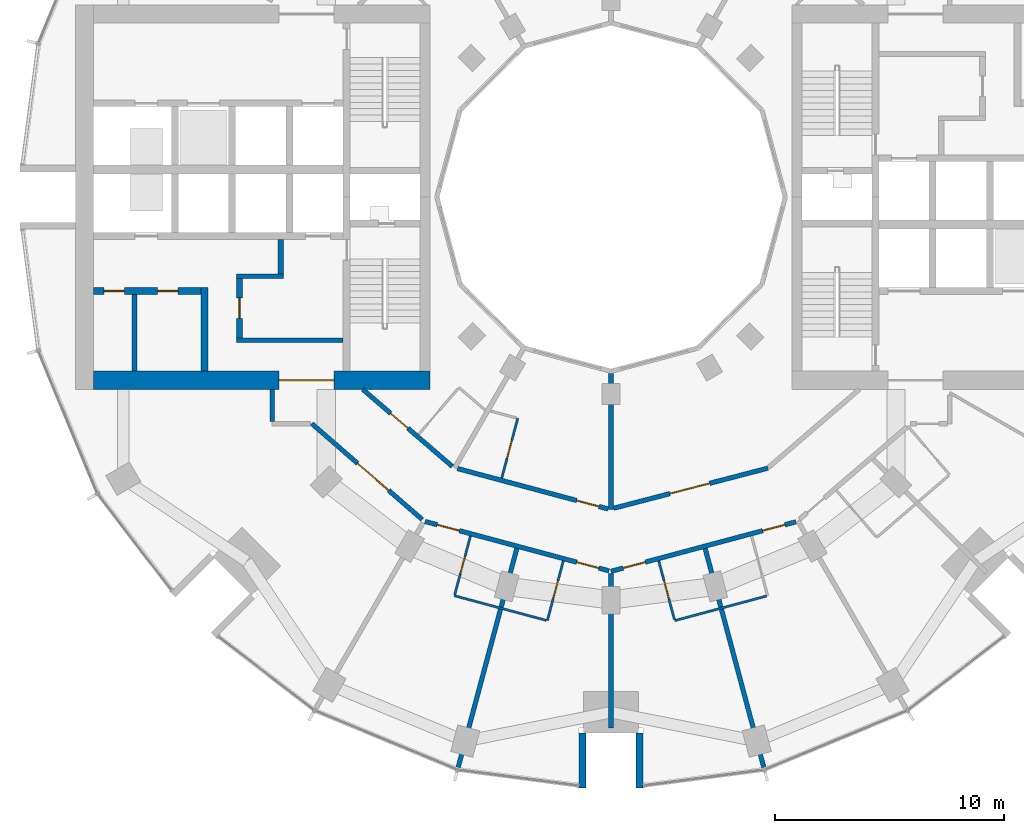
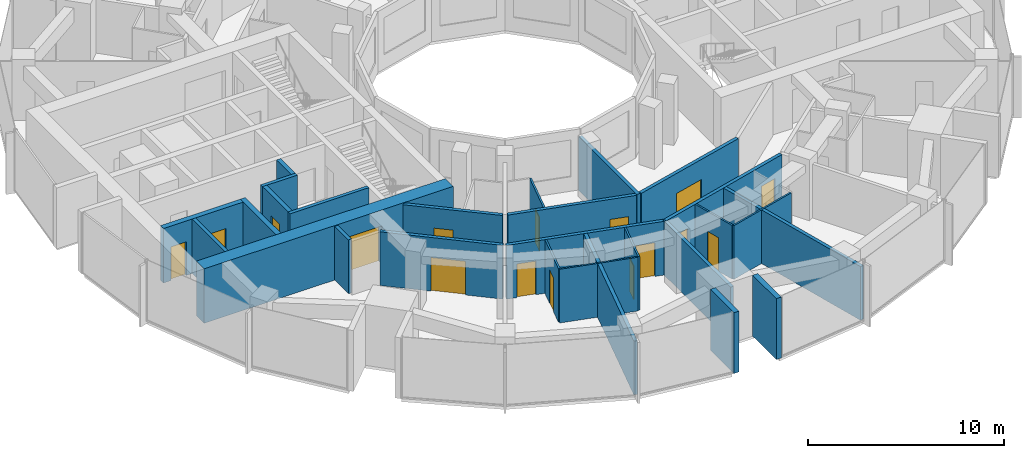
# One storey, part 8 of 15: 27 walls, 16 doors, 16 openings.
"""IFC4 building model written with IfcOpenShell, lengths in metres."""

from ifc_helpers import new_model, si_unit, direction, frame, frame_2d, origin, place, context, subcontext, project, spatial, rectangle, extrude, material, layer, layer_set, type_object, element, fill, save


model = new_model("IFC4")

# Units and contexts
model_context = context("Model", 3, precision=1e-05, world=origin(), true_north=direction((0.0, 1.0)))
body_context = subcontext(model_context, "Body", "Model", "MODEL_VIEW")
ifc_project = project(units=[si_unit("LENGTHUNIT", "METRE"), si_unit("AREAUNIT", "SQUARE_METRE"), si_unit("VOLUMEUNIT", "CUBIC_METRE"), si_unit("PLANEANGLEUNIT", "RADIAN"), si_unit("MASSUNIT", "GRAM", prefix="KILO")], contexts=[model_context])

# Site, building, storey
site_placement = place(None, origin())
site = spatial("IfcSite", under=ifc_project, at=site_placement, CompositionType="ELEMENT")
building_placement = place(site_placement, origin())
building = spatial("IfcBuilding", under=site, at=building_placement, Name="Torre Brocal", CompositionType="ELEMENT")
storey_placement = place(building_placement, frame((0.0, 0.0, 70.60009765625)))
storey = spatial("IfcBuildingStorey", under=building, at=storey_placement, Name="L16", CompositionType="ELEMENT", Elevation=70.60009765625)

# Walls
ifc_material_1 = material(Name="Masonry block", Category="masonry")
ifc_layer_1 = layer(ifc_material_1, 0.199951171875)
ifc_layer_set_1 = layer_set([ifc_layer_1], Name="Masonry block")
wall_type_1 = type_object("IfcWallType", Name="CORE PARTITION 200 UNDER 400 SLAB", PredefinedType="PARTITIONING", material=ifc_layer_set_1)
wall_1_placement = place(storey_placement, frame((59.18603515625, 70.75, 0.0), z_axis=(0.0, 0.0, 1.0), x_axis=(0.0, -1.0, 0.0)))
element("IfcWall", 1, at=wall_1_placement, inside=storey, type_object=wall_type_1, Name="Wall CP200-S400", PredefinedType="PARTITIONING", context=body_context, shape_type="SweptSolid", body=[
    extrude(rectangle(XDim=3.35009765625, YDim=0.199951171875, at=frame_2d((1.675048828125, 0.0))), origin(), (0.0, 0.0, 1.0), 3.39990234375),
])
ifc_material_2 = material(Name="Concrete C80", Category="concrete")
ifc_layer_2 = layer(ifc_material_2, 0.199951171875)
ifc_layer_set_2 = layer_set([ifc_layer_2], Name="Concrete C80")
wall_type_2 = type_object("IfcWallType", Name="CORE WALL 200 C80 UNDER 400 SLAB", PredefinedType="SHEAR", material=ifc_layer_set_2)
wall_2_placement = place(storey_placement, frame((68.300048828125, 68.75, 0.0), z_axis=(0.0, 0.0, 1.0), x_axis=(-1.0, 0.0, 0.0)))
element("IfcWall", 2, at=wall_2_placement, inside=storey, type_object=wall_type_2, Name="Wall CW200-80-S400", PredefinedType="SHEAR", context=body_context, shape_type="SweptSolid", body=[
    extrude(rectangle(XDim=4.650146484375, YDim=0.199951171875, at=frame_2d((2.3251953125, 0.0))), origin(), (0.0, 0.0, 1.0), 3.39990234375),
])
wall_3_placement = place(storey_placement, frame((65.699951171875, 71.550048828125, 0.0), z_axis=(0.0, 0.0, 1.0), x_axis=(-1.0, 0.0, 0.0)))
element("IfcWall", 3, at=wall_3_placement, inside=storey, type_object=wall_type_2, Name="Wall CW200-80-S400", PredefinedType="SHEAR", context=body_context, shape_type="SweptSolid", body=[
    extrude(rectangle(XDim=2.050048828125, YDim=0.199951171875, at=frame_2d((1.02490234375, 0.0))), origin(), (0.0, 0.0, 1.0), 3.39990234375),
])

# Wall, opening, door
ifc_material_3 = material(Name="Concrete C80", Category="concrete")
ifc_layer_3 = layer(ifc_material_3, 0.25)
ifc_layer_set_3 = layer_set([ifc_layer_3], Name="Concrete C80")
wall_type_3 = type_object("IfcWallType", Name="CORE WALL 250 C80 UNDER 400 SLAB", PredefinedType="SHEAR", material=ifc_layer_set_3)
wall_4_placement = place(storey_placement, frame((63.77490234375, 71.449951171875, 0.0), z_axis=(0.0, 0.0, 1.0), x_axis=(0.0, -1.0, 0.0)))
wall_4 = element("IfcWall", 4, at=wall_4_placement, inside=storey, type_object=wall_type_3, Name="Wall CW250-80-S400", PredefinedType="SHEAR", context=body_context, shape_type="SweptSolid", body=[
    extrude(rectangle(XDim=2.599853515625, YDim=0.25, at=frame_2d((1.2998046875, 0.0))), origin(), (0.0, 0.0, 1.0), 3.39990234375),
])
opening_1_placement = place(wall_4_placement, frame((0.85009765625, 0.0, 0.0)))
opening_1 = element("IfcOpeningElement", 5, at=opening_1_placement, cuts=wall_4, Name="Opening W-D15", PredefinedType="OPENING", context=body_context, shape_type="SweptSolid", body=[
    extrude(rectangle(XDim=0.89990234375, YDim=2.10009765625, at=frame_2d((0.449951171875, 1.050048828125))), frame((0.0, 0.135009765625, 0.0), z_axis=(0.0, -1.0, 0.0), x_axis=(1.0, 0.0, 0.0)), (0.0, 0.0, 1.0), 0.27001953125),
])
ifc_material_4 = material(Name="Steel A653", Category="steel")
door_type_1 = type_object("IfcDoorType", Name="LOBBY DOOR FD120 900X2100", OperationType="SINGLE_SWING_RIGHT", PredefinedType="DOOR", material=ifc_material_4)
door_1_placement = place(opening_1_placement, origin())
door_1 = element("IfcDoor", 6, at=door_1_placement, inside=storey, type_object=door_type_1, Name="Door W-D15", OperationType="SINGLE_SWING_LEFT", OverallHeight=2.10009765625, OverallWidth=0.89990234375, PredefinedType="DOOR", context=body_context, shape_type="SweptSolid", body=[
    extrude(rectangle(XDim=0.89990234375, YDim=2.10009765625, at=frame_2d((0.449951171875, 1.050048828125))), frame((0.0, 0.02490234375, 0.0), z_axis=(0.0, -1.0, 0.0), x_axis=(1.0, 0.0, 0.0)), (0.0, 0.0, 1.0), 0.050048828125),
])
fill(opening_1, door_1)

# Walls
wall_5_placement = place(storey_placement, frame((65.574951171875, 73.14990234375, 0.0), z_axis=(0.0, 0.0, 1.0), x_axis=(0.0, -1.0, 0.0)))
element("IfcWall", 7, at=wall_5_placement, inside=storey, type_object=wall_type_3, Name="Wall CW250-80-S400", PredefinedType="SHEAR", context=body_context, shape_type="SweptSolid", body=[
    extrude(rectangle(XDim=1.5, YDim=0.25, at=frame_2d((0.75, 0.0))), origin(), (0.0, 0.0, 1.0), 3.39990234375),
])
ifc_material_5 = material(Name="Concrete C80", Category="concrete")
ifc_layer_4 = layer(ifc_material_5, 0.300048828125)
ifc_layer_set_4 = layer_set([ifc_layer_4], Name="Concrete C80")
wall_type_4 = type_object("IfcWallType", Name="CORE WALL 300 C80 UNDER 400 SLAB", PredefinedType="SHEAR", material=ifc_layer_set_4)
wall_6_placement = place(storey_placement, frame((62.25, 71.050048828125, 0.0), z_axis=(0.0, 0.0, 1.0), x_axis=(0.0, -1.0, 0.0)))
element("IfcWall", 8, at=wall_6_placement, inside=storey, type_object=wall_type_4, Name="Wall CW300-80-S400", PredefinedType="SHEAR", context=body_context, shape_type="SweptSolid", body=[
    extrude(rectangle(XDim=3.650146484375, YDim=0.300048828125, at=frame_2d((1.8251953125, 0.0))), origin(), (0.0, 0.0, 1.0), 3.39990234375),
])

# Wall, openings, doors
wall_7_placement = place(storey_placement, frame((62.10009765625, 70.89990234375, 0.0), z_axis=(0.0, 0.0, 1.0), x_axis=(-1.0, 0.0, 0.0)))
wall_7 = element("IfcWall", 9, at=wall_7_placement, inside=storey, type_object=wall_type_4, Name="Wall CW300-80-S400", PredefinedType="SHEAR", context=body_context, shape_type="SweptSolid", body=[
    extrude(rectangle(XDim=4.7001953125, YDim=0.300048828125, at=frame_2d((2.35009765625, 0.0))), origin(), (0.0, 0.0, 1.0), 3.39990234375),
])
opening_2_placement = place(wall_7_placement, frame((1.007080078125, 0.0, 0.0)))
opening_2 = element("IfcOpeningElement", 10, at=opening_2_placement, cuts=wall_7, Name="Opening W-D05", PredefinedType="OPENING", context=body_context, shape_type="SweptSolid", body=[
    extrude(rectangle(XDim=0.89990234375, YDim=2.10009765625, at=frame_2d((0.449951171875, 1.050048828125))), frame((0.0, 0.159912109375, 0.0), z_axis=(0.0, -1.0, 0.0), x_axis=(1.0, 0.0, 0.0)), (0.0, 0.0, 1.0), 0.320068359375),
])
opening_3_placement = place(wall_7_placement, frame((3.35693359375, 0.0, 0.0)))
opening_3 = element("IfcOpeningElement", 11, at=opening_3_placement, cuts=wall_7, Name="Opening W-D06", PredefinedType="OPENING", context=body_context, shape_type="SweptSolid", body=[
    extrude(rectangle(XDim=0.89990234375, YDim=2.10009765625, at=frame_2d((0.449951171875, 1.050048828125))), frame((0.0, 0.159912109375, 0.0), z_axis=(0.0, -1.0, 0.0), x_axis=(1.0, 0.0, 0.0)), (0.0, 0.0, 1.0), 0.320068359375),
])
ifc_material_6 = material(Name="Steel A653", Category="steel")
door_type_2 = type_object("IfcDoorType", Name="ROOM DOOR FD30S 900X2100", OperationType="SINGLE_SWING_LEFT", PredefinedType="DOOR", material=ifc_material_6)
door_2_placement = place(opening_2_placement, origin())
door_2 = element("IfcDoor", 12, at=door_2_placement, inside=storey, type_object=door_type_2, Name="Door W-D05", OperationType="SINGLE_SWING_RIGHT", OverallHeight=2.10009765625, OverallWidth=0.89990234375, PredefinedType="DOOR", context=body_context, shape_type="SweptSolid", body=[
    extrude(rectangle(XDim=0.89990234375, YDim=2.10009765625, at=frame_2d((0.449951171875, 1.050048828125))), frame((0.0, 0.02490234375, 0.0), z_axis=(0.0, -1.0, 0.0), x_axis=(1.0, 0.0, 0.0)), (0.0, 0.0, 1.0), 0.050048828125),
])
fill(opening_2, door_2)
door_3_placement = place(opening_3_placement, origin())
door_3 = element("IfcDoor", 13, at=door_3_placement, inside=storey, type_object=door_type_2, Name="Door W-D06", OperationType="SINGLE_SWING_LEFT", OverallHeight=2.10009765625, OverallWidth=0.89990234375, PredefinedType="DOOR", context=body_context, shape_type="SweptSolid", body=[
    extrude(rectangle(XDim=0.89990234375, YDim=2.10009765625, at=frame_2d((0.449951171875, 1.050048828125))), frame((0.0, 0.02490234375, 0.0), z_axis=(0.0, -1.0, 0.0), x_axis=(1.0, 0.0, 0.0)), (0.0, 0.0, 1.0), 0.050048828125),
])
fill(opening_3, door_3)

# Wall, opening, door
ifc_material_7 = material(Name="Concrete C80", Category="concrete")
ifc_layer_5 = layer(ifc_material_7, 0.800048828125)
ifc_layer_set_5 = layer_set([ifc_layer_5], Name="Concrete C80")
wall_type_5 = type_object("IfcWallType", Name="CORE WALL 800 C80 UNDER 400 SLAB", PredefinedType="SHEAR", material=ifc_layer_set_5)
wall_8_placement = place(storey_placement, frame((72.10009765625, 67.0, 0.0), z_axis=(0.0, 0.0, 1.0), x_axis=(-1.0, 0.0, 0.0)))
wall_8 = element("IfcWall", 14, at=wall_8_placement, inside=storey, type_object=wall_type_5, Name="Wall CW800-80-S400", PredefinedType="SHEAR", context=body_context, shape_type="SweptSolid", body=[
    extrude(rectangle(XDim=14.7001953125, YDim=0.800048828125, at=frame_2d((7.35009765625, 0.0))), origin(), (0.0, 0.0, 1.0), 3.39990234375),
])
opening_4_placement = place(wall_8_placement, frame((4.199951171875, 0.0, 0.0)))
opening_4 = element("IfcOpeningElement", 15, at=opening_4_placement, cuts=wall_8, Name="Opening W-D24", PredefinedType="OPENING", context=body_context, shape_type="SweptSolid", body=[
    extrude(rectangle(XDim=2.39990234375, YDim=2.39990234375, at=frame_2d((1.199951171875, 1.199951171875))), frame((0.0, 0.409912109375, 0.0), z_axis=(0.0, -1.0, 0.0), x_axis=(1.0, 0.0, 0.0)), (0.0, 0.0, 1.0), 0.820068359375),
])
ifc_material_8 = material(Name="Steel A653", Category="steel")
door_type_3 = type_object("IfcDoorType", Name="DOUBLE FIRE DOOR FD90 2400X2400", OperationType="DOUBLE_DOOR_SINGLE_SWING", PredefinedType="DOOR", material=ifc_material_8)
door_4_placement = place(opening_4_placement, frame((2.39990234375, 0.0, 0.0), z_axis=(0.0, 0.0, 1.0), x_axis=(-1.0, 0.0, 0.0)))
door_4 = element("IfcDoor", 16, at=door_4_placement, inside=storey, type_object=door_type_3, Name="Door W-D24", OperationType="DOUBLE_DOOR_SINGLE_SWING", OverallHeight=2.39990234375, OverallWidth=2.39990234375, PredefinedType="DOOR", context=body_context, shape_type="SweptSolid", body=[
    extrude(rectangle(XDim=2.39990234375, YDim=2.39990234375, at=frame_2d((1.199951171875, 1.199951171875))), frame((0.0, 0.02490234375, 0.0), z_axis=(0.0, -1.0, 0.0), x_axis=(1.0, 0.0, 0.0)), (0.0, 0.0, 1.0), 0.050048828125),
])
fill(opening_4, door_4)

# Walls
ifc_material_9 = material(Name="Concrete C80", Category="concrete")
ifc_layer_6 = layer(ifc_material_9, 0.300048828125)
ifc_layer_set_6 = layer_set([ifc_layer_6], Name="Concrete C80")
wall_type_6 = type_object("IfcWallType", Name="NOTCH RETURN WALL 300 C80", PredefinedType="NOTDEFINED", material=ifc_layer_set_6)
for number, where, z_axis, x_axis, name in (
    (17, (78.75, 51.60009765625, 0.0), (0.0, 0.0, 1.0), (0.0, -1.0, 0.0), "NOTCH RETURN WALL"),
    (18, (81.25, 51.60009765625, 0.0), (0.0, 0.0, 1.0), (0.0, -1.0, 0.0), "NOTCH RETURN WALL"),
):
    element("IfcWall", number, at=place(storey_placement, frame(where, z_axis=z_axis, x_axis=x_axis)), inside=storey, type_object=wall_type_6, Name=name, PredefinedType="NOTDEFINED", context=body_context, shape_type="SweptSolid", body=[
        extrude(rectangle(XDim=2.415771484375, YDim=0.300048828125, at=frame_2d((1.2080078125, 0.0))), origin(), (0.0, 0.0, 1.0), 3.7998046875),
    ])

# Wall, opening, door
ifc_material_10 = material(Name="Gypsum board", Category="Gypsum")
ifc_layer_7 = layer(ifc_material_10, 0.10009765625)
ifc_layer_set_7 = layer_set([ifc_layer_7], Name="Gypsum board")
wall_type_7 = type_object("IfcWallType", Name="PARTITION 100", PredefinedType="PARTITIONING", material=ifc_layer_set_7)
wall_9_placement = place(storey_placement, frame((73.173828125, 57.63623046875, 0.0), z_axis=(0.0, 0.0, 1.0), x_axis=(0.258952498977, 0.96589005755, 0.0)))
wall_9 = element("IfcWall", 19, at=wall_9_placement, inside=storey, type_object=wall_type_7, Name="BATHROOM WALL", PredefinedType="PARTITIONING", context=body_context, shape_type="SweptSolid", body=[
    extrude(rectangle(XDim=2.650146484375, YDim=0.10009765625, at=frame_2d((1.3251953125, 0.0))), origin(), (0.0, 0.0, 1.0), 3.349853515625),
])
opening_5_placement = place(wall_9_placement, frame((0.9501953125, 0.0, 0.0)))
opening_5 = element("IfcOpeningElement", 20, at=opening_5_placement, cuts=wall_9, Name="Opening H04-D32", PredefinedType="OPENING", context=body_context, shape_type="SweptSolid", body=[
    extrude(rectangle(XDim=0.800048828125, YDim=2.10009765625, at=frame_2d((0.39990234375, 1.050048828125))), frame((0.0, 0.06005859375, 0.0), z_axis=(0.0, -1.0, 0.0), x_axis=(1.0, 0.0, 0.0)), (0.0, 0.0, 1.0), 0.1201171875),
])
ifc_material_11 = material(Name="Timber", Category="wood")
door_type_4 = type_object("IfcDoorType", Name="BATHROOM DOOR 800X2100", OperationType="SINGLE_SWING_LEFT", PredefinedType="DOOR", material=ifc_material_11)
door_5_placement = place(opening_5_placement, frame((0.800048828125, 0.0, 0.0), z_axis=(0.0, 0.0, 1.0), x_axis=(-1.0, 0.0, 0.0)))
door_5 = element("IfcDoor", 21, at=door_5_placement, inside=storey, type_object=door_type_4, Name="H04-D32", OperationType="SINGLE_SWING_LEFT", OverallHeight=2.10009765625, OverallWidth=0.800048828125, PredefinedType="DOOR", context=body_context, shape_type="SweptSolid", body=[
    extrude(rectangle(XDim=0.800048828125, YDim=2.10009765625, at=frame_2d((0.39990234375, 1.050048828125))), frame((0.0, 0.02490234375, 0.0), z_axis=(0.0, -1.0, 0.0), x_axis=(1.0, 0.0, 0.0)), (0.0, 0.0, 1.0), 0.050048828125),
])
fill(opening_5, door_5)

# Wall
wall_10_placement = place(storey_placement, frame((73.160888671875, 57.587890625, 0.0), z_axis=(0.0, 0.0, 1.0), x_axis=(0.965858994467, -0.259068336173, 0.0)))
element("IfcWall", 22, at=wall_10_placement, inside=storey, type_object=wall_type_7, Name="BATHROOM WALL", PredefinedType="PARTITIONING", context=body_context, shape_type="SweptSolid", body=[
    extrude(rectangle(XDim=4.150146484375, YDim=0.10009765625, at=frame_2d((2.0751953125, 0.0))), origin(), (0.0, 0.0, 1.0), 3.349853515625),
])

# Wall, opening, door
wall_11_placement = place(storey_placement, frame((75.226806640625, 62.728759765625, 0.0), z_axis=(0.0, 0.0, 1.0), x_axis=(0.258945475746, 0.965891940432, 0.0)))
wall_11 = element("IfcWall", 23, at=wall_11_placement, inside=storey, type_object=wall_type_7, Name="BATHROOM WALL", PredefinedType="PARTITIONING", context=body_context, shape_type="SweptSolid", body=[
    extrude(rectangle(XDim=2.7001953125, YDim=0.10009765625, at=frame_2d((1.35009765625, 0.0))), origin(), (0.0, 0.0, 1.0), 3.349853515625),
])
opening_6_placement = place(wall_11_placement, frame((0.900146484375, 0.0, 0.0)))
opening_6 = element("IfcOpeningElement", 24, at=opening_6_placement, cuts=wall_11, Name="Opening H04-D36", PredefinedType="OPENING", context=body_context, shape_type="SweptSolid", body=[
    extrude(rectangle(XDim=0.800048828125, YDim=2.10009765625, at=frame_2d((0.39990234375, 1.050048828125))), frame((0.0, 0.06005859375, 0.0), z_axis=(0.0, -1.0, 0.0), x_axis=(1.0, 0.0, 0.0)), (0.0, 0.0, 1.0), 0.1201171875),
])
door_6_placement = place(opening_6_placement, origin())
door_6 = element("IfcDoor", 25, at=door_6_placement, inside=storey, type_object=door_type_4, Name="H04-D36", OperationType="SINGLE_SWING_LEFT", OverallHeight=2.10009765625, OverallWidth=0.800048828125, PredefinedType="DOOR", context=body_context, shape_type="SweptSolid", body=[
    extrude(rectangle(XDim=0.800048828125, YDim=2.10009765625, at=frame_2d((0.39990234375, 1.050048828125))), frame((0.0, 0.02490234375, 0.0), z_axis=(0.0, -1.0, 0.0), x_axis=(1.0, 0.0, 0.0)), (0.0, 0.0, 1.0), 0.050048828125),
])
fill(opening_6, door_6)

wall_12_placement = place(storey_placement, frame((77.218017578125, 56.5009765625, 0.0), z_axis=(0.0, 0.0, 1.0), x_axis=(0.258591408257, 0.965986792651, 0.0)))
wall_12 = element("IfcWall", 26, at=wall_12_placement, inside=storey, type_object=wall_type_7, Name="BATHROOM WALL", PredefinedType="PARTITIONING", context=body_context, shape_type="SweptSolid", body=[
    extrude(rectangle(XDim=2.69921875, YDim=0.10009765625, at=frame_2d((1.349609375, 0.0))), origin(), (0.0, 0.0, 1.0), 3.349853515625),
])
opening_7_placement = place(wall_12_placement, frame((0.99951171875, 0.0, 0.0)))
opening_7 = element("IfcOpeningElement", 27, at=opening_7_placement, cuts=wall_12, Name="Opening H04-D30", PredefinedType="OPENING", context=body_context, shape_type="SweptSolid", body=[
    extrude(rectangle(XDim=0.800048828125, YDim=2.10009765625, at=frame_2d((0.39990234375, 1.050048828125))), frame((0.0, 0.06005859375, 0.0), z_axis=(0.0, -1.0, 0.0), x_axis=(1.0, 0.0, 0.0)), (0.0, 0.0, 1.0), 0.1201171875),
])
door_7_placement = place(opening_7_placement, origin())
door_7 = element("IfcDoor", 28, at=door_7_placement, inside=storey, type_object=door_type_4, Name="H04-D30", OperationType="SINGLE_SWING_RIGHT", OverallHeight=2.10009765625, OverallWidth=0.800048828125, PredefinedType="DOOR", context=body_context, shape_type="SweptSolid", body=[
    extrude(rectangle(XDim=0.800048828125, YDim=2.10009765625, at=frame_2d((0.39990234375, 1.050048828125))), frame((0.0, 0.02490234375, 0.0), z_axis=(0.0, -1.0, 0.0), x_axis=(1.0, 0.0, 0.0)), (0.0, 0.0, 1.0), 0.050048828125),
])
fill(opening_7, door_7)

wall_13_placement = place(storey_placement, frame((82.083984375, 59.1083984375, 0.0), z_axis=(0.0, 0.0, 1.0), x_axis=(0.258591746437, -0.965986702121, 0.0)))
wall_13 = element("IfcWall", 29, at=wall_13_placement, inside=storey, type_object=wall_type_7, Name="BATHROOM WALL", PredefinedType="PARTITIONING", context=body_context, shape_type="SweptSolid", body=[
    extrude(rectangle(XDim=2.649169921875, YDim=0.10009765625, at=frame_2d((1.32470703125, 0.0))), origin(), (0.0, 0.0, 1.0), 3.349853515625),
])
opening_8_placement = place(wall_13_placement, frame((0.899658203125, 0.0, 0.0)))
opening_8 = element("IfcOpeningElement", 30, at=opening_8_placement, cuts=wall_13, Name="Opening H04-D28", PredefinedType="OPENING", context=body_context, shape_type="SweptSolid", body=[
    extrude(rectangle(XDim=0.800048828125, YDim=2.10009765625, at=frame_2d((0.39990234375, 1.050048828125))), frame((0.0, 0.06005859375, 0.0), z_axis=(0.0, -1.0, 0.0), x_axis=(1.0, 0.0, 0.0)), (0.0, 0.0, 1.0), 0.1201171875),
])
door_8_placement = place(opening_8_placement, origin())
door_8 = element("IfcDoor", 31, at=door_8_placement, inside=storey, type_object=door_type_4, Name="H04-D28", OperationType="SINGLE_SWING_LEFT", OverallHeight=2.10009765625, OverallWidth=0.800048828125, PredefinedType="DOOR", context=body_context, shape_type="SweptSolid", body=[
    extrude(rectangle(XDim=0.800048828125, YDim=2.10009765625, at=frame_2d((0.39990234375, 1.050048828125))), frame((0.0, 0.02490234375, 0.0), z_axis=(0.0, -1.0, 0.0), x_axis=(1.0, 0.0, 0.0)), (0.0, 0.0, 1.0), 0.050048828125),
])
fill(opening_8, door_8)

# Walls
wall_14_placement = place(storey_placement, frame((82.781982421875, 56.5009765625, 0.0), z_axis=(0.0, 0.0, 1.0), x_axis=(0.965999228418, 0.258544949083, 0.0)))
element("IfcWall", 32, at=wall_14_placement, inside=storey, type_object=wall_type_7, Name="BATHROOM WALL", PredefinedType="PARTITIONING", context=body_context, shape_type="SweptSolid", body=[
    extrude(rectangle(XDim=4.150146484375, YDim=0.10009765625, at=frame_2d((2.0751953125, 0.0))), origin(), (0.0, 0.0, 1.0), 3.349853515625),
])
ifc_material_12 = material(Name="Gypsum board", Category="Gypsum")
ifc_layer_8 = layer(ifc_material_12, 0.199951171875)
ifc_layer_set_8 = layer_set([ifc_layer_8], Name="Gypsum board")
wall_type_8 = type_object("IfcWallType", Name="PARTITION 200 EI60", PredefinedType="PARTITIONING", material=ifc_layer_set_8)
wall_15_placement = place(storey_placement, frame((65.199951171875, 65.199951171875, 0.0), z_axis=(0.0, 0.0, 1.0), x_axis=(0.0, 1.0, 0.0)))
element("IfcWall", 33, at=wall_15_placement, inside=storey, type_object=wall_type_8, Name="CORRIDOR WALL", PredefinedType="PARTITIONING", context=body_context, shape_type="SweptSolid", body=[
    extrude(rectangle(XDim=1.399169921875, YDim=0.199951171875, at=frame_2d((0.69970703125, 0.0))), origin(), (0.0, 0.0, 1.0), 3.349853515625),
])

# Wall, opening, door
wall_16_placement = place(storey_placement, frame((66.92431640625, 65.110595703125, 0.0), z_axis=(0.0, 0.0, 1.0), x_axis=(0.755023669255, -0.655697536113, 0.0)))
wall_16 = element("IfcWall", 34, at=wall_16_placement, inside=storey, type_object=wall_type_8, Name="GUESTROOM CORRIDOR WALL", PredefinedType="PARTITIONING", context=body_context, shape_type="SweptSolid", body=[
    extrude(rectangle(XDim=6.395751953125, YDim=0.199951171875, at=frame_2d((3.19775390625, 0.0))), origin(), (0.0, 0.0, 1.0), 3.349853515625),
])
opening_9_placement = place(wall_16_placement, frame((2.65771484375, 0.0, 0.0)))
opening_9 = element("IfcOpeningElement", 35, at=opening_9_placement, cuts=wall_16, Name="Opening H04-D33", PredefinedType="OPENING", context=body_context, shape_type="SweptSolid", body=[
    extrude(rectangle(XDim=1.800048828125, YDim=2.10009765625, at=frame_2d((0.89990234375, 1.050048828125))), frame((0.0, 0.10986328125, 0.0), z_axis=(0.0, -1.0, 0.0), x_axis=(1.0, 0.0, 0.0)), (0.0, 0.0, 1.0), 0.219970703125),
])
ifc_material_13 = material(Name="Timber", Category="wood")
door_type_5 = type_object("IfcDoorType", Name="DOUBLE DOOR 1800X2100", OperationType="DOUBLE_DOOR_SINGLE_SWING", PredefinedType="DOOR", material=ifc_material_13)
door_9_placement = place(opening_9_placement, frame((1.800048828125, 0.0, 0.0), z_axis=(0.0, 0.0, 1.0), x_axis=(-1.0, 0.0, 0.0)))
door_9 = element("IfcDoor", 36, at=door_9_placement, inside=storey, type_object=door_type_5, Name="H04-D33", OperationType="DOUBLE_DOOR_SINGLE_SWING", OverallHeight=2.10009765625, OverallWidth=1.800048828125, PredefinedType="DOOR", context=body_context, shape_type="SweptSolid", body=[
    extrude(rectangle(XDim=1.800048828125, YDim=2.10009765625, at=frame_2d((0.89990234375, 1.050048828125))), frame((0.0, 0.02490234375, 0.0), z_axis=(0.0, -1.0, 0.0), x_axis=(1.0, 0.0, 0.0)), (0.0, 0.0, 1.0), 0.050048828125),
])
fill(opening_9, door_9)

wall_17_placement = place(storey_placement, frame((69.158203125, 66.60009765625, 0.0), z_axis=(0.0, 0.0, 1.0), x_axis=(0.757976058094, -0.652282373943, 0.0)))
wall_17 = element("IfcWall", 37, at=wall_17_placement, inside=storey, type_object=wall_type_8, Name="GUESTROOM CORRIDOR WALL", PredefinedType="PARTITIONING", context=body_context, shape_type="SweptSolid", body=[
    extrude(rectangle(XDim=5.160400390625, YDim=0.199951171875, at=frame_2d((2.580078125, 0.0))), origin(), (0.0, 0.0, 1.0), 3.349853515625),
])
opening_10_placement = place(wall_17_placement, frame((1.60009765625, 0.0, 0.0)))
opening_10 = element("IfcOpeningElement", 38, at=opening_10_placement, cuts=wall_17, Name="Opening H04-D37", PredefinedType="OPENING", context=body_context, shape_type="SweptSolid", body=[
    extrude(rectangle(XDim=1.0, YDim=2.10009765625, at=frame_2d((0.5, 1.050048828125))), frame((0.0, 0.10986328125, 0.0), z_axis=(0.0, -1.0, 0.0), x_axis=(1.0, 0.0, 0.0)), (0.0, 0.0, 1.0), 0.219970703125),
])
ifc_material_14 = material(Name="Timber", Category="wood")
door_type_6 = type_object("IfcDoorType", Name="FLAT ENTRY DOOR FD30S 1000X2100", OperationType="SINGLE_SWING_RIGHT", PredefinedType="DOOR", material=ifc_material_14)
door_10_placement = place(opening_10_placement, origin())
door_10 = element("IfcDoor", 39, at=door_10_placement, inside=storey, type_object=door_type_6, Name="H04-D37", OperationType="SINGLE_SWING_RIGHT", OverallHeight=2.10009765625, OverallWidth=1.0, PredefinedType="DOOR", context=body_context, shape_type="SweptSolid", body=[
    extrude(rectangle(XDim=1.0, YDim=2.10009765625, at=frame_2d((0.5, 1.050048828125))), frame((0.0, 0.02490234375, 0.0), z_axis=(0.0, -1.0, 0.0), x_axis=(1.0, 0.0, 0.0)), (0.0, 0.0, 1.0), 0.050048828125),
])
fill(opening_10, door_10)

# Wall, openings, doors
wall_18_placement = place(storey_placement, frame((71.877197265625, 60.83154296875, 0.0), z_axis=(0.0, 0.0, 1.0), x_axis=(0.965852509869, -0.259092510851, 0.0)))
wall_18 = element("IfcWall", 40, at=wall_18_placement, inside=storey, type_object=wall_type_8, Name="GUESTROOM CORRIDOR WALL", PredefinedType="PARTITIONING", context=body_context, shape_type="SweptSolid", body=[
    extrude(rectangle(XDim=8.319580078125, YDim=0.199951171875, at=frame_2d((4.15966796875, 0.0))), origin(), (0.0, 0.0, 1.0), 3.349853515625),
])
opening_11_placement = place(wall_18_placement, frame((6.859619140625, 0.0, 0.0)))
opening_11 = element("IfcOpeningElement", 41, at=opening_11_placement, cuts=wall_18, Name="Opening H04-D29", PredefinedType="OPENING", context=body_context, shape_type="SweptSolid", body=[
    extrude(rectangle(XDim=1.0, YDim=2.10009765625, at=frame_2d((0.5, 1.050048828125))), frame((0.0, 0.10986328125, 0.0), z_axis=(0.0, -1.0, 0.0), x_axis=(1.0, 0.0, 0.0)), (0.0, 0.0, 1.0), 0.219970703125),
])
opening_12_placement = place(wall_18_placement, frame((0.550048828125, 0.0, 0.0)))
opening_12 = element("IfcOpeningElement", 42, at=opening_12_placement, cuts=wall_18, Name="Opening H04-D31", PredefinedType="OPENING", context=body_context, shape_type="SweptSolid", body=[
    extrude(rectangle(XDim=1.0, YDim=2.10009765625, at=frame_2d((0.5, 1.050048828125))), frame((0.0, 0.10986328125, 0.0), z_axis=(0.0, -1.0, 0.0), x_axis=(1.0, 0.0, 0.0)), (0.0, 0.0, 1.0), 0.219970703125),
])
door_11_placement = place(opening_11_placement, frame((1.0, 0.0, 0.0), z_axis=(0.0, 0.0, 1.0), x_axis=(-1.0, 0.0, 0.0)))
door_11 = element("IfcDoor", 43, at=door_11_placement, inside=storey, type_object=door_type_6, Name="H04-D29", OperationType="SINGLE_SWING_RIGHT", OverallHeight=2.10009765625, OverallWidth=1.0, PredefinedType="DOOR", context=body_context, shape_type="SweptSolid", body=[
    extrude(rectangle(XDim=1.0, YDim=2.10009765625, at=frame_2d((0.5, 1.050048828125))), frame((0.0, 0.02490234375, 0.0), z_axis=(0.0, -1.0, 0.0), x_axis=(1.0, 0.0, 0.0)), (0.0, 0.0, 1.0), 0.050048828125),
])
fill(opening_11, door_11)
door_12_placement = place(opening_12_placement, frame((1.0, 0.0, 0.0), z_axis=(0.0, 0.0, 1.0), x_axis=(-1.0, 0.0, 0.0)))
door_12 = element("IfcDoor", 44, at=door_12_placement, inside=storey, type_object=door_type_6, Name="H04-D31", OperationType="SINGLE_SWING_LEFT", OverallHeight=2.10009765625, OverallWidth=1.0, PredefinedType="DOOR", context=body_context, shape_type="SweptSolid", body=[
    extrude(rectangle(XDim=1.0, YDim=2.10009765625, at=frame_2d((0.5, 1.050048828125))), frame((0.0, 0.02490234375, 0.0), z_axis=(0.0, -1.0, 0.0), x_axis=(1.0, 0.0, 0.0)), (0.0, 0.0, 1.0), 0.050048828125),
])
fill(opening_12, door_12)

# Wall, opening, door
wall_19_placement = place(storey_placement, frame((73.296875, 63.142578125, 0.0), z_axis=(0.0, 0.0, 1.0), x_axis=(0.965859030528, -0.25906820173, 0.0)))
wall_19 = element("IfcWall", 45, at=wall_19_placement, inside=storey, type_object=wall_type_8, Name="GUESTROOM CORRIDOR WALL", PredefinedType="PARTITIONING", context=body_context, shape_type="SweptSolid", body=[
    extrude(rectangle(XDim=6.8095703125, YDim=0.199951171875, at=frame_2d((3.40478515625, 0.0))), origin(), (0.0, 0.0, 1.0), 3.349853515625),
])
opening_13_placement = place(wall_19_placement, frame((5.3896484375, 0.0, 0.0)))
opening_13 = element("IfcOpeningElement", 46, at=opening_13_placement, cuts=wall_19, Name="Opening H04-D35", PredefinedType="OPENING", context=body_context, shape_type="SweptSolid", body=[
    extrude(rectangle(XDim=1.0, YDim=2.10009765625, at=frame_2d((0.5, 1.050048828125))), frame((0.0, 0.10986328125, 0.0), z_axis=(0.0, -1.0, 0.0), x_axis=(1.0, 0.0, 0.0)), (0.0, 0.0, 1.0), 0.219970703125),
])
door_13_placement = place(opening_13_placement, origin())
door_13 = element("IfcDoor", 47, at=door_13_placement, inside=storey, type_object=door_type_6, Name="H04-D35", OperationType="SINGLE_SWING_RIGHT", OverallHeight=2.10009765625, OverallWidth=1.0, PredefinedType="DOOR", context=body_context, shape_type="SweptSolid", body=[
    extrude(rectangle(XDim=1.0, YDim=2.10009765625, at=frame_2d((0.5, 1.050048828125))), frame((0.0, 0.02490234375, 0.0), z_axis=(0.0, -1.0, 0.0), x_axis=(1.0, 0.0, 0.0)), (0.0, 0.0, 1.0), 0.050048828125),
])
fill(opening_13, door_13)

# Wall
wall_20_placement = place(storey_placement, frame((73.32080078125, 50.081298828125, 0.0), z_axis=(0.0, 0.0, 1.0), x_axis=(0.258889198551, 0.965907025999, 0.0)))
element("IfcWall", 48, at=wall_20_placement, inside=storey, type_object=wall_type_8, Name="BATHROOM WALL", PredefinedType="PARTITIONING", context=body_context, shape_type="SweptSolid", body=[
    extrude(rectangle(XDim=9.909423828125, YDim=0.199951171875, at=frame_2d((4.95458984375, 0.0))), origin(), (0.0, 0.0, 1.0), 3.349853515625),
])

# Wall, opening, door
wall_21_placement = place(storey_placement, frame((80.11865234375, 61.409912109375, 0.0), z_axis=(0.0, 0.0, 1.0), x_axis=(0.967823361235, 0.251630565408, 0.0)))
wall_21 = element("IfcWall", 49, at=wall_21_placement, inside=storey, type_object=wall_type_8, Name="GUESTROOM CORRIDOR WALL", PredefinedType="PARTITIONING", context=body_context, shape_type="SweptSolid", body=[
    extrude(rectangle(XDim=6.95849609375, YDim=0.199951171875, at=frame_2d((3.479248046875, 0.0))), origin(), (0.0, 0.0, 1.0), 3.349853515625),
])
opening_14_placement = place(wall_21_placement, frame((2.52880859375, 0.0, 0.0)))
opening_14 = element("IfcOpeningElement", 50, at=opening_14_placement, cuts=wall_21, Name="Opening H04-D34", PredefinedType="OPENING", context=body_context, shape_type="SweptSolid", body=[
    extrude(rectangle(XDim=1.800048828125, YDim=2.10009765625, at=frame_2d((0.89990234375, 1.050048828125))), frame((0.0, 0.10986328125, 0.0), z_axis=(0.0, -1.0, 0.0), x_axis=(1.0, 0.0, 0.0)), (0.0, 0.0, 1.0), 0.219970703125),
])
door_14_placement = place(opening_14_placement, origin())
door_14 = element("IfcDoor", 51, at=door_14_placement, inside=storey, type_object=door_type_5, Name="H04-D34", OperationType="DOUBLE_DOOR_SINGLE_SWING", OverallHeight=2.10009765625, OverallWidth=1.800048828125, PredefinedType="DOOR", context=body_context, shape_type="SweptSolid", body=[
    extrude(rectangle(XDim=1.800048828125, YDim=2.10009765625, at=frame_2d((0.89990234375, 1.050048828125))), frame((0.0, 0.02490234375, 0.0), z_axis=(0.0, -1.0, 0.0), x_axis=(1.0, 0.0, 0.0)), (0.0, 0.0, 1.0), 0.050048828125),
])
fill(opening_14, door_14)

# Wall
wall_22_placement = place(storey_placement, frame((80.0, 51.800048828125, 0.0), z_axis=(0.0, 0.0, 1.0), x_axis=(0.0, 1.0, 0.0)))
element("IfcWall", 52, at=wall_22_placement, inside=storey, type_object=wall_type_8, Name="PARTY PARTITION", PredefinedType="PARTITIONING", context=body_context, shape_type="SweptSolid", body=[
    extrude(rectangle(XDim=6.763916015625, YDim=0.199951171875, at=frame_2d((3.3818359375, 0.0))), origin(), (0.0, 0.0, 1.0), 3.349853515625),
])

# Wall, openings, doors
wall_23_placement = place(storey_placement, frame((79.999755859375, 58.65478515625, 0.0), z_axis=(0.0, 0.0, 1.0), x_axis=(0.965974635626, 0.258636817424, 0.0)))
wall_23 = element("IfcWall", 53, at=wall_23_placement, inside=storey, type_object=wall_type_8, Name="GUESTROOM CORRIDOR WALL", PredefinedType="PARTITIONING", context=body_context, shape_type="SweptSolid", body=[
    extrude(rectangle(XDim=8.359619140625, YDim=0.199951171875, at=frame_2d((4.1796875, 0.0))), origin(), (0.0, 0.0, 1.0), 3.349853515625),
])
opening_15_placement = place(wall_23_placement, frame((6.859619140625, 0.0, 0.0)))
opening_15 = element("IfcOpeningElement", 54, at=opening_15_placement, cuts=wall_23, Name="Opening H04-D25", PredefinedType="OPENING", context=body_context, shape_type="SweptSolid", body=[
    extrude(rectangle(XDim=1.0, YDim=2.10009765625, at=frame_2d((0.5, 1.050048828125))), frame((0.0, 0.10986328125, 0.0), z_axis=(0.0, -1.0, 0.0), x_axis=(1.0, 0.0, 0.0)), (0.0, 0.0, 1.0), 0.219970703125),
])
opening_16_placement = place(wall_23_placement, frame((0.550048828125, 0.0, 0.0)))
opening_16 = element("IfcOpeningElement", 55, at=opening_16_placement, cuts=wall_23, Name="Opening H04-D27", PredefinedType="OPENING", context=body_context, shape_type="SweptSolid", body=[
    extrude(rectangle(XDim=1.0, YDim=2.10009765625, at=frame_2d((0.5, 1.050048828125))), frame((0.0, 0.10986328125, 0.0), z_axis=(0.0, -1.0, 0.0), x_axis=(1.0, 0.0, 0.0)), (0.0, 0.0, 1.0), 0.219970703125),
])
door_15_placement = place(opening_15_placement, frame((1.0, 0.0, 0.0), z_axis=(0.0, 0.0, 1.0), x_axis=(-1.0, 0.0, 0.0)))
door_15 = element("IfcDoor", 56, at=door_15_placement, inside=storey, type_object=door_type_6, Name="H04-D25", OperationType="SINGLE_SWING_RIGHT", OverallHeight=2.10009765625, OverallWidth=1.0, PredefinedType="DOOR", context=body_context, shape_type="SweptSolid", body=[
    extrude(rectangle(XDim=1.0, YDim=2.10009765625, at=frame_2d((0.5, 1.050048828125))), frame((0.0, 0.02490234375, 0.0), z_axis=(0.0, -1.0, 0.0), x_axis=(1.0, 0.0, 0.0)), (0.0, 0.0, 1.0), 0.050048828125),
])
fill(opening_15, door_15)
door_16_placement = place(opening_16_placement, frame((1.0, 0.0, 0.0), z_axis=(0.0, 0.0, 1.0), x_axis=(-1.0, 0.0, 0.0)))
door_16 = element("IfcDoor", 57, at=door_16_placement, inside=storey, type_object=door_type_6, Name="H04-D27", OperationType="SINGLE_SWING_LEFT", OverallHeight=2.10009765625, OverallWidth=1.0, PredefinedType="DOOR", context=body_context, shape_type="SweptSolid", body=[
    extrude(rectangle(XDim=1.0, YDim=2.10009765625, at=frame_2d((0.5, 1.050048828125))), frame((0.0, 0.02490234375, 0.0), z_axis=(0.0, -1.0, 0.0), x_axis=(1.0, 0.0, 0.0)), (0.0, 0.0, 1.0), 0.050048828125),
])
fill(opening_16, door_16)

# Walls
wall_24_placement = place(storey_placement, frame((80.0, 61.346923828125, 0.0), z_axis=(0.0, 0.0, 1.0), x_axis=(0.0, 1.0, 0.0)))
element("IfcWall", 58, at=wall_24_placement, inside=storey, type_object=wall_type_8, Name="PARTY PARTITION", PredefinedType="PARTITIONING", context=body_context, shape_type="SweptSolid", body=[
    extrude(rectangle(XDim=5.953125, YDim=0.199951171875, at=frame_2d((2.9765625, 0.0))), origin(), (0.0, 0.0, 1.0), 3.349853515625),
])
wall_25_placement = place(storey_placement, frame((84.112060546875, 59.65234375, 0.0), z_axis=(0.0, 0.0, 1.0), x_axis=(0.258791091927, -0.965933315886, 0.0)))
element("IfcWall", 59, at=wall_25_placement, inside=storey, type_object=wall_type_8, Name="BATHROOM WALL", PredefinedType="PARTITIONING", context=body_context, shape_type="SweptSolid", body=[
    extrude(rectangle(XDim=9.909423828125, YDim=0.199951171875, at=frame_2d((4.95458984375, 0.0))), origin(), (0.0, 0.0, 1.0), 3.349853515625),
])

save(model, "model.ifc")
